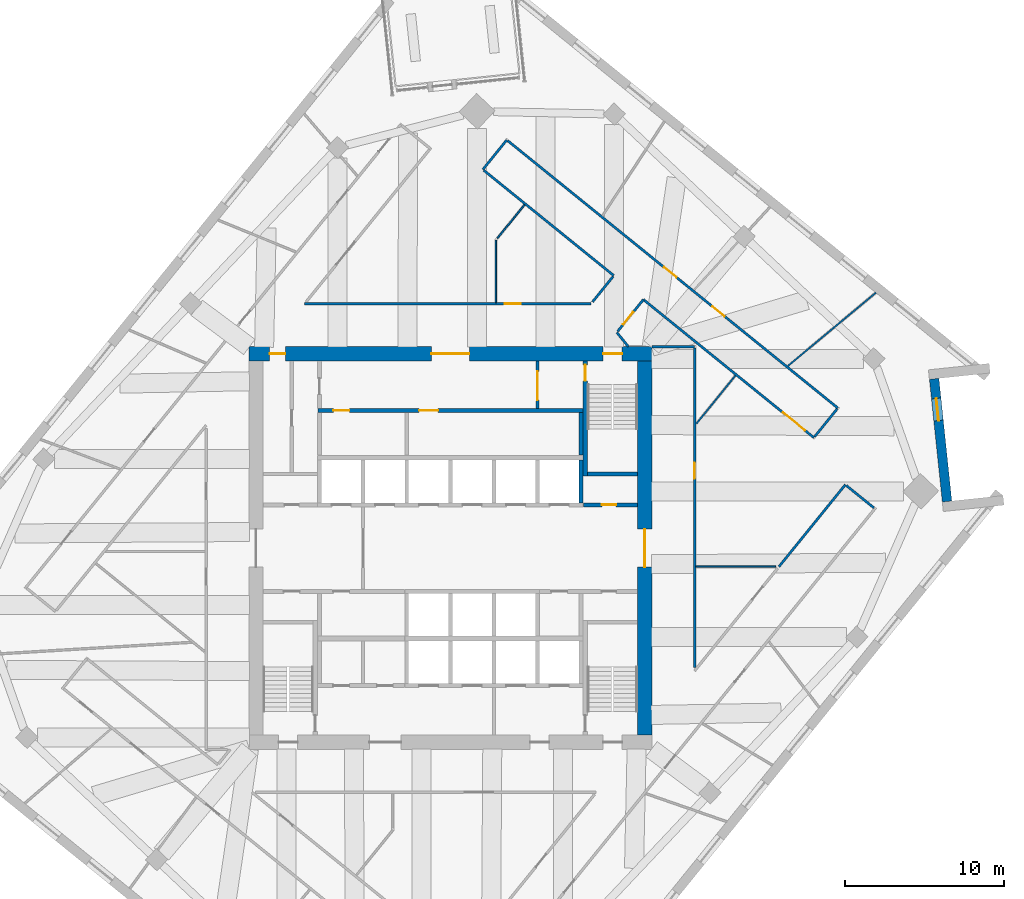
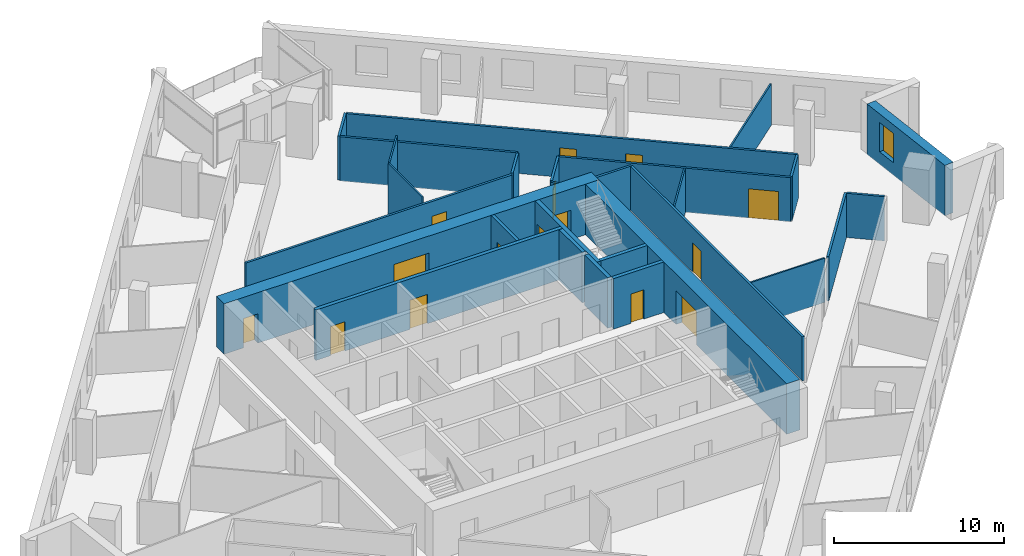
# One storey, part 11 of 14: 28 walls, 15 doors, 1 window, 16 openings.
"""IFC4 building model written with IfcOpenShell, lengths in metres."""

from ifc_helpers import new_model, si_unit, direction, frame, frame_2d, origin, place, context, subcontext, project, spatial, rectangle, extrude, material, layer, layer_set, type_object, element, fill, save


model = new_model("IFC4")

# Units and contexts
model_context = context("Model", 3, precision=1e-05, world=origin(), true_north=direction((0.0, 1.0)))
body_context = subcontext(model_context, "Body", "Model", "MODEL_VIEW")
ifc_project = project(units=[si_unit("LENGTHUNIT", "METRE"), si_unit("AREAUNIT", "SQUARE_METRE"), si_unit("VOLUMEUNIT", "CUBIC_METRE"), si_unit("PLANEANGLEUNIT", "RADIAN"), si_unit("MASSUNIT", "GRAM", prefix="KILO")], contexts=[model_context])

# Site, building, storey
site_placement = place(None, origin())
site = spatial("IfcSite", under=ifc_project, at=site_placement, CompositionType="ELEMENT")
building_placement = place(site_placement, origin())
building = spatial("IfcBuilding", under=site, at=building_placement, Name="Dilmun Exchange Tower", CompositionType="ELEMENT")
storey_placement = place(building_placement, frame((0.0, 0.0, 225.300048828125)))
storey = spatial("IfcBuildingStorey", under=building, at=storey_placement, Name="L53", CompositionType="ELEMENT", Elevation=225.300048828125)

# Wall, opening, door
ifc_material_1 = material(Name="Concrete C40/50", Category="concrete")
ifc_layer_1 = layer(ifc_material_1, 0.199951171875)
ifc_layer_set_1 = layer_set([ifc_layer_1], Name="Concrete C40/50")
wall_type_1 = type_object("IfcWallType", Name="Core partition wall 200", PredefinedType="PARTITIONING", material=ifc_layer_set_1)
wall_1_placement = place(storey_placement, frame((5.5, 8.804931640625, 0.0), z_axis=(0.0, 0.0, 1.0), x_axis=(0.0, 1.0, 0.0)))
wall_1 = element("IfcWall", 1, at=wall_1_placement, inside=storey, type_object=wall_type_1, Name="L53 core partition wall 20", PredefinedType="PARTITIONING", context=body_context, shape_type="SweptSolid", body=[
    extrude(rectangle(XDim=2.989990234375, YDim=0.199951171875, at=frame_2d((1.4951171875, 0.0))), origin(), (0.0, 0.0, 1.0), 3.619873046875),
])
opening_1_placement = place(wall_1_placement, frame((0.532470703125, 0.0, 0.0)))
opening_1 = element("IfcOpeningElement", 2, at=opening_1_placement, cuts=wall_1, Name="Opening CD5", PredefinedType="OPENING", context=body_context, shape_type="SweptSolid", body=[
    extrude(rectangle(XDim=1.800048828125, YDim=2.10009765625, at=frame_2d((0.89990234375, 1.050048828125))), frame((0.0, 0.10986328125, 0.0), z_axis=(0.0, -1.0, 0.0), x_axis=(1.0, 0.0, 0.0)), (0.0, 0.0, 1.0), 0.219970703125),
])
ifc_material_2 = material(Name="Fire-rated steel door set", Category="steel")
door_type_1 = type_object("IfcDoorType", Name="Stair exit door 1800x2100", OperationType="SINGLE_SWING_LEFT", PredefinedType="DOOR", material=ifc_material_2)
door_1_placement = place(opening_1_placement, origin())
door_1 = element("IfcDoor", 3, at=door_1_placement, inside=storey, type_object=door_type_1, Name="L53 door Core corridor east", OperationType="SINGLE_SWING_LEFT", OverallHeight=2.10009765625, OverallWidth=1.800048828125, PredefinedType="DOOR", context=body_context, shape_type="SweptSolid", body=[
    extrude(rectangle(XDim=1.800048828125, YDim=2.10009765625, at=frame_2d((0.89990234375, 1.050048828125))), frame((0.0, 0.02490234375, 0.0), z_axis=(0.0, -1.0, 0.0), x_axis=(1.0, 0.0, 0.0)), (0.0, 0.0, 1.0), 0.050048828125),
])
fill(opening_1, door_1)

ifc_layer_2 = layer(ifc_material_1, 0.25)
ifc_layer_set_2 = layer_set([ifc_layer_2], Name="Concrete C40/50")
wall_type_2 = type_object("IfcWallType", Name="Core partition wall 250", PredefinedType="PARTITIONING", material=ifc_layer_set_2)
wall_2_placement = place(storey_placement, frame((8.3798828125, 2.72509765625, 0.0), z_axis=(0.0, 0.0, 1.0), x_axis=(1.0, 0.0, 0.0)))
wall_2 = element("IfcWall", 4, at=wall_2_placement, inside=storey, type_object=wall_type_2, Name="L53 core partition wall 12", PredefinedType="PARTITIONING", context=body_context, shape_type="SweptSolid", body=[
    extrude(rectangle(XDim=3.4150390625, YDim=0.25, at=frame_2d((1.70751953125, 0.0))), origin(), (0.0, 0.0, 1.0), 3.619873046875),
])
opening_2_placement = place(wall_2_placement, frame((1.169921875, 0.0, 0.0)))
opening_2 = element("IfcOpeningElement", 5, at=opening_2_placement, cuts=wall_2, Name="Opening CD6", PredefinedType="OPENING", context=body_context, shape_type="SweptSolid", body=[
    extrude(rectangle(XDim=0.89990234375, YDim=2.10009765625, at=frame_2d((0.449951171875, 1.050048828125))), frame((0.0, 0.135009765625, 0.0), z_axis=(0.0, -1.0, 0.0), x_axis=(1.0, 0.0, 0.0)), (0.0, 0.0, 1.0), 0.27001953125),
])
door_type_2 = type_object("IfcDoorType", Name="Core room door 900x2100", OperationType="SINGLE_SWING_LEFT", PredefinedType="DOOR", material=ifc_material_2)
door_2_placement = place(opening_2_placement, origin())
door_2 = element("IfcDoor", 6, at=door_2_placement, inside=storey, type_object=door_type_2, Name="L53 door Electrical riser", OperationType="SINGLE_SWING_RIGHT", OverallHeight=2.10009765625, OverallWidth=0.89990234375, PredefinedType="DOOR", context=body_context, shape_type="SweptSolid", body=[
    extrude(rectangle(XDim=0.89990234375, YDim=2.10009765625, at=frame_2d((0.449951171875, 1.050048828125))), frame((0.0, 0.02490234375, 0.0), z_axis=(0.0, -1.0, 0.0), x_axis=(1.0, 0.0, 0.0)), (0.0, 0.0, 1.0), 0.050048828125),
])
fill(opening_2, door_2)

# Wall
wall_3_placement = place(storey_placement, frame((8.25, 5.85498046875, 0.0), z_axis=(0.0, 0.0, 1.0), x_axis=(0.0, 1.0, 0.0)))
element("IfcWall", 7, at=wall_3_placement, inside=storey, type_object=wall_type_2, Name="L53 core partition wall 17", PredefinedType="PARTITIONING", context=body_context, shape_type="SweptSolid", body=[
    extrude(rectangle(XDim=2.68994140625, YDim=0.25, at=frame_2d((1.344970703125, 0.0))), origin(), (0.0, 0.0, 1.0), 3.619873046875),
])

# Wall, openings, doors
wall_4_placement = place(storey_placement, frame((-8.35009765625, 8.675048828125, 0.0), z_axis=(0.0, 0.0, 1.0), x_axis=(1.0, 0.0, 0.0)))
wall_4 = element("IfcWall", 8, at=wall_4_placement, inside=storey, type_object=wall_type_2, Name="L53 core partition wall 18", PredefinedType="PARTITIONING", context=body_context, shape_type="SweptSolid", body=[
    extrude(rectangle(XDim=16.72021484375, YDim=0.25, at=frame_2d((8.360107421875, 0.0))), origin(), (0.0, 0.0, 1.0), 3.619873046875),
])
opening_3_placement = place(wall_4_placement, frame((0.97509765625, 0.0, 0.0)))
opening_3 = element("IfcOpeningElement", 9, at=opening_3_placement, cuts=wall_4, Name="Opening CD4", PredefinedType="OPENING", context=body_context, shape_type="SweptSolid", body=[
    extrude(rectangle(XDim=1.0, YDim=2.10009765625, at=frame_2d((0.5, 1.050048828125))), frame((0.0, 0.135009765625, 0.0), z_axis=(0.0, -1.0, 0.0), x_axis=(1.0, 0.0, 0.0)), (0.0, 0.0, 1.0), 0.27001953125),
])
opening_4_placement = place(wall_4_placement, frame((6.375, 0.0, 0.0)))
opening_4 = element("IfcOpeningElement", 10, at=opening_4_placement, cuts=wall_4, Name="Opening CD3", PredefinedType="OPENING", context=body_context, shape_type="SweptSolid", body=[
    extrude(rectangle(XDim=1.199951171875, YDim=2.10009765625, at=frame_2d((0.60009765625, 1.050048828125))), frame((0.0, 0.135009765625, 0.0), z_axis=(0.0, -1.0, 0.0), x_axis=(1.0, 0.0, 0.0)), (0.0, 0.0, 1.0), 0.27001953125),
])
door_type_3 = type_object("IfcDoorType", Name="Core room door 1000x2100", OperationType="SINGLE_SWING_LEFT", PredefinedType="DOOR", material=ifc_material_2)
door_3_placement = place(opening_3_placement, origin())
door_3 = element("IfcDoor", 11, at=door_3_placement, inside=storey, type_object=door_type_3, Name="L53 door Mechanical room", OperationType="SINGLE_SWING_RIGHT", OverallHeight=2.10009765625, OverallWidth=1.0, PredefinedType="DOOR", context=body_context, shape_type="SweptSolid", body=[
    extrude(rectangle(XDim=1.0, YDim=2.10009765625, at=frame_2d((0.5, 1.050048828125))), frame((0.0, 0.02490234375, 0.0), z_axis=(0.0, -1.0, 0.0), x_axis=(1.0, 0.0, 0.0)), (0.0, 0.0, 1.0), 0.050048828125),
])
fill(opening_3, door_3)
door_type_4 = type_object("IfcDoorType", Name="Stair exit door 1200x2100", OperationType="SINGLE_SWING_LEFT", PredefinedType="DOOR", material=ifc_material_2)
door_4_placement = place(opening_4_placement, origin())
door_4 = element("IfcDoor", 12, at=door_4_placement, inside=storey, type_object=door_type_4, Name="L53 door Tenant meeting suite", OperationType="SINGLE_SWING_LEFT", OverallHeight=2.10009765625, OverallWidth=1.199951171875, PredefinedType="DOOR", context=body_context, shape_type="SweptSolid", body=[
    extrude(rectangle(XDim=1.199951171875, YDim=2.10009765625, at=frame_2d((0.60009765625, 1.050048828125))), frame((0.0, 0.02490234375, 0.0), z_axis=(0.0, -1.0, 0.0), x_axis=(1.0, 0.0, 0.0)), (0.0, 0.0, 1.0), 0.050048828125),
])
fill(opening_4, door_4)

ifc_material_3 = material(Name="Concrete C60/75", Category="concrete")
ifc_layer_3 = layer(ifc_material_3, 0.89990234375)
ifc_layer_set_3 = layer_set([ifc_layer_3], Name="Concrete C60/75")
wall_type_3 = type_object("IfcWallType", Name="Core shear wall 900 Concrete C60/75", PredefinedType="SHEAR", material=ifc_layer_set_3)
wall_5_placement = place(storey_placement, frame((-12.699951171875, 12.25, 0.0), z_axis=(0.0, 0.0, 1.0), x_axis=(1.0, 0.0, 0.0)))
wall_5 = element("IfcWall", 13, at=wall_5_placement, inside=storey, type_object=wall_type_3, Name="L53 core shear wall N", PredefinedType="SHEAR", context=body_context, shape_type="SweptSolid", body=[
    extrude(rectangle(XDim=25.39990234375, YDim=0.89990234375, at=frame_2d((12.699951171875, 0.0))), origin(), (0.0, 0.0, 1.0), 3.619873046875),
])
opening_5_placement = place(wall_5_placement, frame((11.5, 0.0, 0.0)))
opening_5 = element("IfcOpeningElement", 14, at=opening_5_placement, cuts=wall_5, Name="Opening CD1", PredefinedType="OPENING", context=body_context, shape_type="SweptSolid", body=[
    extrude(rectangle(XDim=2.39990234375, YDim=2.39990234375, at=frame_2d((1.199951171875, 1.199951171875))), frame((0.0, 0.4599609375, 0.0), z_axis=(0.0, -1.0, 0.0), x_axis=(1.0, 0.0, 0.0)), (0.0, 0.0, 1.0), 0.919921875),
])
opening_6_placement = place(wall_5_placement, frame((22.324951171875, 0.0, 0.0)))
opening_6 = element("IfcOpeningElement", 15, at=opening_6_placement, cuts=wall_5, Name="Opening CD3", PredefinedType="OPENING", context=body_context, shape_type="SweptSolid", body=[
    extrude(rectangle(XDim=1.199951171875, YDim=2.10009765625, at=frame_2d((0.60009765625, 1.050048828125))), frame((0.0, 0.4599609375, 0.0), z_axis=(0.0, -1.0, 0.0), x_axis=(1.0, 0.0, 0.0)), (0.0, 0.0, 1.0), 0.919921875),
])
opening_7_placement = place(wall_5_placement, frame((1.300048828125, 0.0, 0.0)))
opening_7 = element("IfcOpeningElement", 16, at=opening_7_placement, cuts=wall_5, Name="Opening CD4", PredefinedType="OPENING", context=body_context, shape_type="SweptSolid", body=[
    extrude(rectangle(XDim=1.0, YDim=2.10009765625, at=frame_2d((0.5, 1.050048828125))), frame((0.0, 0.4599609375, 0.0), z_axis=(0.0, -1.0, 0.0), x_axis=(1.0, 0.0, 0.0)), (0.0, 0.0, 1.0), 0.919921875),
])
door_type_5 = type_object("IfcDoorType", Name="Core lobby door 2400x2400", OperationType="DOUBLE_DOOR_DOUBLE_SWING", PredefinedType="DOOR", material=ifc_material_2)
door_5_placement = place(opening_5_placement, origin())
door_5 = element("IfcDoor", 17, at=door_5_placement, inside=storey, type_object=door_type_5, Name="L53 door North lift lobby", OperationType="SINGLE_SWING_LEFT", OverallHeight=2.39990234375, OverallWidth=2.39990234375, PredefinedType="DOOR", context=body_context, shape_type="SweptSolid", body=[
    extrude(rectangle(XDim=2.39990234375, YDim=2.39990234375, at=frame_2d((1.199951171875, 1.199951171875))), frame((0.0, 0.02490234375, 0.0), z_axis=(0.0, -1.0, 0.0), x_axis=(1.0, 0.0, 0.0)), (0.0, 0.0, 1.0), 0.050048828125),
])
fill(opening_5, door_5)
door_6_placement = place(opening_7_placement, origin())
door_6 = element("IfcDoor", 18, at=door_6_placement, inside=storey, type_object=door_type_3, Name="L53 door North-west core rooms", OperationType="SINGLE_SWING_LEFT", OverallHeight=2.10009765625, OverallWidth=1.0, PredefinedType="DOOR", context=body_context, shape_type="SweptSolid", body=[
    extrude(rectangle(XDim=1.0, YDim=2.10009765625, at=frame_2d((0.5, 1.050048828125))), frame((0.0, 0.02490234375, 0.0), z_axis=(0.0, -1.0, 0.0), x_axis=(1.0, 0.0, 0.0)), (0.0, 0.0, 1.0), 0.050048828125),
])
fill(opening_7, door_6)
door_7_placement = place(opening_6_placement, origin())
door_7 = element("IfcDoor", 19, at=door_7_placement, inside=storey, type_object=door_type_4, Name="L53 door Stair ST1", OperationType="SINGLE_SWING_LEFT", OverallHeight=2.10009765625, OverallWidth=1.199951171875, PredefinedType="DOOR", context=body_context, shape_type="SweptSolid", body=[
    extrude(rectangle(XDim=1.199951171875, YDim=2.10009765625, at=frame_2d((0.60009765625, 1.050048828125))), frame((0.0, 0.02490234375, 0.0), z_axis=(0.0, -1.0, 0.0), x_axis=(1.0, 0.0, 0.0)), (0.0, 0.0, 1.0), 0.050048828125),
])
fill(opening_6, door_7)

# Wall, opening, door
wall_6_placement = place(storey_placement, frame((12.25, -11.800048828125, 0.0), z_axis=(0.0, 0.0, 1.0), x_axis=(0.0, 1.0, 0.0)))
wall_6 = element("IfcWall", 20, at=wall_6_placement, inside=storey, type_object=wall_type_3, Name="L53 core shear wall E", PredefinedType="SHEAR", context=body_context, shape_type="SweptSolid", body=[
    extrude(rectangle(XDim=23.60009765625, YDim=0.89990234375, at=frame_2d((11.800048828125, 0.0))), origin(), (0.0, 0.0, 1.0), 3.619873046875),
])
opening_8_placement = place(wall_6_placement, frame((10.60009765625, 0.0, 0.0)))
opening_8 = element("IfcOpeningElement", 21, at=opening_8_placement, cuts=wall_6, Name="Opening CD1", PredefinedType="OPENING", context=body_context, shape_type="SweptSolid", body=[
    extrude(rectangle(XDim=2.39990234375, YDim=2.39990234375, at=frame_2d((1.199951171875, 1.199951171875))), frame((0.0, 0.4599609375, 0.0), z_axis=(0.0, -1.0, 0.0), x_axis=(1.0, 0.0, 0.0)), (0.0, 0.0, 1.0), 0.919921875),
])
door_8_placement = place(opening_8_placement, origin())
door_8 = element("IfcDoor", 22, at=door_8_placement, inside=storey, type_object=door_type_5, Name="L53 door Central lift lobby", OperationType="SINGLE_SWING_LEFT", OverallHeight=2.39990234375, OverallWidth=2.39990234375, PredefinedType="DOOR", context=body_context, shape_type="SweptSolid", body=[
    extrude(rectangle(XDim=2.39990234375, YDim=2.39990234375, at=frame_2d((1.199951171875, 1.199951171875))), frame((0.0, 0.02490234375, 0.0), z_axis=(0.0, -1.0, 0.0), x_axis=(1.0, 0.0, 0.0)), (0.0, 0.0, 1.0), 0.050048828125),
])
fill(opening_8, door_8)

ifc_material_4 = material(Name="Corridor wall 150")
ifc_layer_4 = layer(ifc_material_4, 0.14990234375)
ifc_layer_set_4 = layer_set([ifc_layer_4], Name="Corridor wall 150")
wall_type_4 = type_object("IfcWallType", Name="Corridor wall 150", PredefinedType="PARTITIONING", material=ifc_layer_set_4)
wall_7_placement = place(storey_placement, frame((-9.196044921875, 15.39990234375, 0.0), z_axis=(0.0, 0.0, 1.0), x_axis=(1.0, 0.0, 0.0)))
wall_7 = element("IfcWall", 23, at=wall_7_placement, inside=storey, type_object=wall_type_4, Name="Corridor wall", PredefinedType="PARTITIONING", context=body_context, shape_type="SweptSolid", body=[
    extrude(rectangle(XDim=18.06005859375, YDim=0.14990234375, at=frame_2d((9.030029296875, 0.0))), origin(), (0.0, 0.0, 1.0), 3.169921875),
])
opening_9_placement = place(wall_7_placement, frame((12.620849609375, 0.0, 0.0)))
opening_9 = element("IfcOpeningElement", 24, at=opening_9_placement, cuts=wall_7, Name="Opening TF53-D15", PredefinedType="OPENING", context=body_context, shape_type="SweptSolid", body=[
    extrude(rectangle(XDim=1.0, YDim=2.10009765625, at=frame_2d((0.5, 1.050048828125))), frame((0.0, 0.0849609375, 0.0), z_axis=(0.0, -1.0, 0.0), x_axis=(1.0, 0.0, 0.0)), (0.0, 0.0, 1.0), 0.169921875),
])
ifc_material_5 = material(Name="Fire door 1000 x 2100")
door_type_6 = type_object("IfcDoorType", Name="Fire door 1000 x 2100", OperationType="NOTDEFINED", PredefinedType="DOOR", material=ifc_material_5)
door_9_placement = place(opening_9_placement, origin())
door_9 = element("IfcDoor", 25, at=door_9_placement, inside=storey, type_object=door_type_6, Name="Door TF53-D15", OperationType="SINGLE_SWING_LEFT", OverallHeight=2.10009765625, OverallWidth=1.0, PredefinedType="DOOR", context=body_context, shape_type="SweptSolid", body=[
    extrude(rectangle(XDim=1.0, YDim=2.10009765625, at=frame_2d((0.5, 1.050048828125))), frame((0.0, 0.02490234375, 0.0), z_axis=(0.0, -1.0, 0.0), x_axis=(1.0, 0.0, 0.0)), (0.0, 0.0, 1.0), 0.050048828125),
])
fill(opening_9, door_9)

# Walls
wall_8_placement = place(storey_placement, frame((2.047119140625, 23.868896484375, 0.0), z_axis=(0.0, 0.0, 1.0), x_axis=(0.62925964887, 0.777195145574, 0.0)))
element("IfcWall", 26, at=wall_8_placement, inside=storey, type_object=wall_type_4, Name="Corridor wall", PredefinedType="PARTITIONING", context=body_context, shape_type="SweptSolid", body=[
    extrude(rectangle(XDim=2.401123046875, YDim=0.14990234375, at=frame_2d((1.20068359375, 0.0))), origin(), (0.0, 0.0, 1.0), 3.169921875),
])
wall_9_placement = place(storey_placement, frame((2.105224609375, 23.82177734375, 0.0), z_axis=(0.0, 0.0, 1.0), x_axis=(0.777178600468, -0.62928008309, 0.0)))
element("IfcWall", 27, at=wall_9_placement, inside=storey, type_object=wall_type_4, Name="Corridor wall", PredefinedType="PARTITIONING", context=body_context, shape_type="SweptSolid", body=[
    extrude(rectangle(XDim=10.55322265625, YDim=0.14990234375, at=frame_2d((5.276611328125, 0.0))), origin(), (0.0, 0.0, 1.0), 3.169921875),
])

# Wall, openings, doors
wall_10_placement = place(storey_placement, frame((3.6162109375, 25.687744140625, 0.0), z_axis=(0.0, 0.0, 1.0), x_axis=(0.777137029952, -0.62933142038, 0.0)))
wall_10 = element("IfcWall", 28, at=wall_10_placement, inside=storey, type_object=wall_type_4, Name="Corridor wall", PredefinedType="PARTITIONING", context=body_context, shape_type="SweptSolid", body=[
    extrude(rectangle(XDim=26.78515625, YDim=0.14990234375, at=frame_2d((13.392578125, 0.0))), origin(), (0.0, 0.0, 1.0), 3.169921875),
])
opening_10_placement = place(wall_10_placement, frame((12.68212890625, 0.0, 0.0)))
opening_10 = element("IfcOpeningElement", 29, at=opening_10_placement, cuts=wall_10, Name="Opening TF53-D18", PredefinedType="OPENING", context=body_context, shape_type="SweptSolid", body=[
    extrude(rectangle(XDim=1.0, YDim=2.10009765625, at=frame_2d((0.5, 1.050048828125))), frame((0.0, 0.0849609375, 0.0), z_axis=(0.0, -1.0, 0.0), x_axis=(1.0, 0.0, 0.0)), (0.0, 0.0, 1.0), 0.169921875),
])
opening_11_placement = place(wall_10_placement, frame((16.596923828125, 0.0, 0.0)))
opening_11 = element("IfcOpeningElement", 30, at=opening_11_placement, cuts=wall_10, Name="Opening TF53-D22", PredefinedType="OPENING", context=body_context, shape_type="SweptSolid", body=[
    extrude(rectangle(XDim=1.0, YDim=2.10009765625, at=frame_2d((0.5, 1.050048828125))), frame((0.0, 0.0849609375, 0.0), z_axis=(0.0, -1.0, 0.0), x_axis=(1.0, 0.0, 0.0)), (0.0, 0.0, 1.0), 0.169921875),
])
door_10_placement = place(opening_10_placement, origin())
door_10 = element("IfcDoor", 31, at=door_10_placement, inside=storey, type_object=door_type_6, Name="Door TF53-D18", OperationType="SINGLE_SWING_LEFT", OverallHeight=2.10009765625, OverallWidth=1.0, PredefinedType="DOOR", context=body_context, shape_type="SweptSolid", body=[
    extrude(rectangle(XDim=1.0, YDim=2.10009765625, at=frame_2d((0.5, 1.050048828125))), frame((0.0, 0.02490234375, 0.0), z_axis=(0.0, -1.0, 0.0), x_axis=(1.0, 0.0, 0.0)), (0.0, 0.0, 1.0), 0.050048828125),
])
fill(opening_10, door_10)
door_11_placement = place(opening_11_placement, origin())
door_11 = element("IfcDoor", 32, at=door_11_placement, inside=storey, type_object=door_type_6, Name="Door TF53-D22", OperationType="SINGLE_SWING_RIGHT", OverallHeight=2.10009765625, OverallWidth=1.0, PredefinedType="DOOR", context=body_context, shape_type="SweptSolid", body=[
    extrude(rectangle(XDim=1.0, YDim=2.10009765625, at=frame_2d((0.5, 1.050048828125))), frame((0.0, 0.02490234375, 0.0), z_axis=(0.0, -1.0, 0.0), x_axis=(1.0, 0.0, 0.0)), (0.0, 0.0, 1.0), 0.050048828125),
])
fill(opening_11, door_11)

# Walls
wall_11_placement = place(storey_placement, frame((8.962890625, 15.522216796875, 0.0), z_axis=(0.0, 0.0, 1.0), x_axis=(0.629539094885, 0.776968807618, 0.0)))
element("IfcWall", 33, at=wall_11_placement, inside=storey, type_object=wall_type_4, Name="Corridor wall", PredefinedType="PARTITIONING", context=body_context, shape_type="SweptSolid", body=[
    extrude(rectangle(XDim=2.06005859375, YDim=0.14990234375, at=frame_2d((1.030029296875, 0.0))), origin(), (0.0, 0.0, 1.0), 3.169921875),
])
wall_12_placement = place(storey_placement, frame((10.4951171875, 13.60009765625, 0.0), z_axis=(0.0, 0.0, 1.0), x_axis=(0.629870659229, -0.776700040326, 0.0)))
element("IfcWall", 34, at=wall_12_placement, inside=storey, type_object=wall_type_4, Name="Corridor wall", PredefinedType="PARTITIONING", context=body_context, shape_type="SweptSolid", body=[
    extrude(rectangle(XDim=1.158935546875, YDim=0.14990234375, at=frame_2d((0.57958984375, 0.0))), origin(), (0.0, 0.0, 1.0), 3.169921875),
])

# Wall, opening, door
wall_13_placement = place(storey_placement, frame((10.55322265625, 13.671875, 0.0), z_axis=(0.0, 0.0, 1.0), x_axis=(0.629534094475, 0.776972859174, 0.0)))
wall_13 = element("IfcWall", 35, at=wall_13_placement, inside=storey, type_object=wall_type_4, Name="Corridor wall", PredefinedType="PARTITIONING", context=body_context, shape_type="SweptSolid", body=[
    extrude(rectangle(XDim=2.571533203125, YDim=0.14990234375, at=frame_2d((1.28564453125, 0.0))), origin(), (0.0, 0.0, 1.0), 3.169921875),
])
opening_12_placement = place(wall_13_placement, frame((0.550048828125, 0.0, 0.0)))
opening_12 = element("IfcOpeningElement", 36, at=opening_12_placement, cuts=wall_13, Name="Opening TF53-D17", PredefinedType="OPENING", context=body_context, shape_type="SweptSolid", body=[
    extrude(rectangle(XDim=1.0, YDim=2.10009765625, at=frame_2d((0.5, 1.050048828125))), frame((0.0, 0.0849609375, 0.0), z_axis=(0.0, -1.0, 0.0), x_axis=(1.0, 0.0, 0.0)), (0.0, 0.0, 1.0), 0.169921875),
])
door_12_placement = place(opening_12_placement, frame((1.0, 0.0, 0.0), z_axis=(0.0, 0.0, 1.0), x_axis=(-1.0, 0.0, 0.0)))
door_12 = element("IfcDoor", 37, at=door_12_placement, inside=storey, type_object=door_type_6, Name="Door TF53-D17", OperationType="SINGLE_SWING_LEFT", OverallHeight=2.10009765625, OverallWidth=1.0, PredefinedType="DOOR", context=body_context, shape_type="SweptSolid", body=[
    extrude(rectangle(XDim=1.0, YDim=2.10009765625, at=frame_2d((0.5, 1.050048828125))), frame((0.0, 0.02490234375, 0.0), z_axis=(0.0, -1.0, 0.0), x_axis=(1.0, 0.0, 0.0)), (0.0, 0.0, 1.0), 0.050048828125),
])
fill(opening_12, door_12)

wall_14_placement = place(storey_placement, frame((12.172119140625, 15.6708984375, 0.0), z_axis=(0.0, 0.0, 1.0), x_axis=(0.777123609621, -0.629347992266, 0.0)))
wall_14 = element("IfcWall", 38, at=wall_14_placement, inside=storey, type_object=wall_type_4, Name="Corridor wall", PredefinedType="PARTITIONING", context=body_context, shape_type="SweptSolid", body=[
    extrude(rectangle(XDim=13.8330078125, YDim=0.14990234375, at=frame_2d((6.91650390625, 0.0))), origin(), (0.0, 0.0, 1.0), 3.169921875),
])
opening_13_placement = place(wall_14_placement, frame((11.32373046875, 0.0, 0.0)))
opening_13 = element("IfcOpeningElement", 39, at=opening_13_placement, cuts=wall_14, Name="Opening TF53-D23", PredefinedType="OPENING", context=body_context, shape_type="SweptSolid", body=[
    extrude(rectangle(XDim=1.800048828125, YDim=2.10009765625, at=frame_2d((0.89990234375, 1.050048828125))), frame((0.0, 0.0849609375, 0.0), z_axis=(0.0, -1.0, 0.0), x_axis=(1.0, 0.0, 0.0)), (0.0, 0.0, 1.0), 0.169921875),
])
ifc_material_6 = material(Name="Fire door pair 1800 x 2100")
door_type_7 = type_object("IfcDoorType", Name="Fire door pair 1800 x 2100", OperationType="NOTDEFINED", PredefinedType="DOOR", material=ifc_material_6)
door_13_placement = place(opening_13_placement, frame((1.800048828125, 0.0, 0.0), z_axis=(0.0, 0.0, 1.0), x_axis=(-1.0, 0.0, 0.0)))
door_13 = element("IfcDoor", 40, at=door_13_placement, inside=storey, type_object=door_type_7, Name="Door TF53-D23", OperationType="DOUBLE_DOOR_SINGLE_SWING", OverallHeight=2.10009765625, OverallWidth=1.800048828125, PredefinedType="DOOR", context=body_context, shape_type="SweptSolid", body=[
    extrude(rectangle(XDim=1.800048828125, YDim=2.10009765625, at=frame_2d((0.89990234375, 1.050048828125))), frame((0.0, 0.02490234375, 0.0), z_axis=(0.0, -1.0, 0.0), x_axis=(1.0, 0.0, 0.0)), (0.0, 0.0, 1.0), 0.050048828125),
])
fill(opening_13, door_13)

# Wall
wall_15_placement = place(storey_placement, frame((12.699951171875, 12.699951171875, 0.0), z_axis=(0.0, 0.0, 1.0), x_axis=(1.0, 0.0, 0.0)))
element("IfcWall", 41, at=wall_15_placement, inside=storey, type_object=wall_type_4, Name="Corridor wall", PredefinedType="PARTITIONING", context=body_context, shape_type="SweptSolid", body=[
    extrude(rectangle(XDim=2.699951171875, YDim=0.14990234375, at=frame_2d((1.35009765625, 0.0))), origin(), (0.0, 0.0, 1.0), 3.169921875),
])

# Wall, opening, door
wall_16_placement = place(storey_placement, frame((15.39990234375, -7.527099609375, 0.0), z_axis=(0.0, 0.0, 1.0), x_axis=(0.0, 1.0, 0.0)))
wall_16 = element("IfcWall", 42, at=wall_16_placement, inside=storey, type_object=wall_type_4, Name="Corridor wall", PredefinedType="PARTITIONING", context=body_context, shape_type="SweptSolid", body=[
    extrude(rectangle(XDim=20.152099609375, YDim=0.14990234375, at=frame_2d((10.076171875, 0.0))), origin(), (0.0, 0.0, 1.0), 3.169921875),
])
opening_14_placement = place(wall_16_placement, frame((11.908447265625, 0.0, 0.0)))
opening_14 = element("IfcOpeningElement", 43, at=opening_14_placement, cuts=wall_16, Name="Opening TF53-D24", PredefinedType="OPENING", context=body_context, shape_type="SweptSolid", body=[
    extrude(rectangle(XDim=1.0, YDim=2.10009765625, at=frame_2d((0.5, 1.050048828125))), frame((0.0, 0.0849609375, 0.0), z_axis=(0.0, -1.0, 0.0), x_axis=(1.0, 0.0, 0.0)), (0.0, 0.0, 1.0), 0.169921875),
])
door_14_placement = place(opening_14_placement, frame((1.0, 0.0, 0.0), z_axis=(0.0, 0.0, 1.0), x_axis=(-1.0, 0.0, 0.0)))
door_14 = element("IfcDoor", 44, at=door_14_placement, inside=storey, type_object=door_type_6, Name="Door TF53-D24", OperationType="SINGLE_SWING_RIGHT", OverallHeight=2.10009765625, OverallWidth=1.0, PredefinedType="DOOR", context=body_context, shape_type="SweptSolid", body=[
    extrude(rectangle(XDim=1.0, YDim=2.10009765625, at=frame_2d((0.5, 1.050048828125))), frame((0.0, 0.02490234375, 0.0), z_axis=(0.0, -1.0, 0.0), x_axis=(1.0, 0.0, 0.0)), (0.0, 0.0, 1.0), 0.050048828125),
])
fill(opening_14, door_14)

# Walls
wall_17_placement = place(storey_placement, frame((20.720947265625, -1.1689453125, 0.0), z_axis=(0.0, 0.0, 1.0), x_axis=(0.629297540066, 0.777164465262, 0.0)))
element("IfcWall", 45, at=wall_17_placement, inside=storey, type_object=wall_type_4, Name="Corridor wall", PredefinedType="PARTITIONING", context=body_context, shape_type="SweptSolid", body=[
    extrude(rectangle(XDim=6.647216796875, YDim=0.14990234375, at=frame_2d((3.32373046875, 0.0))), origin(), (0.0, 0.0, 1.0), 3.169921875),
])
wall_18_placement = place(storey_placement, frame((22.96923828125, 7.023193359375, 0.0), z_axis=(0.0, 0.0, 1.0), x_axis=(0.628998475829, 0.777406532906, 0.0)))
element("IfcWall", 46, at=wall_18_placement, inside=storey, type_object=wall_type_4, Name="Corridor wall", PredefinedType="PARTITIONING", context=body_context, shape_type="SweptSolid", body=[
    extrude(rectangle(XDim=2.25048828125, YDim=0.14990234375, at=frame_2d((1.125244140625, 0.0))), origin(), (0.0, 0.0, 1.0), 3.169921875),
])
wall_19_placement = place(storey_placement, frame((24.96240234375, 3.94970703125, 0.0), z_axis=(0.0, 0.0, 1.0), x_axis=(0.777191791734, -0.629263791157, 0.0)))
element("IfcWall", 47, at=wall_19_placement, inside=storey, type_object=wall_type_4, Name="Corridor wall", PredefinedType="PARTITIONING", context=body_context, shape_type="SweptSolid", body=[
    extrude(rectangle(XDim=2.24951171875, YDim=0.14990234375, at=frame_2d((1.124755859375, 0.0))), origin(), (0.0, 0.0, 1.0), 3.169921875),
])
ifc_layer_5 = layer(ifc_material_1, 0.25)
ifc_layer_set_5 = layer_set([ifc_layer_5], Name="Concrete C40/50")
wall_type_5 = type_object("IfcWallType", Name="Lift shaft wall 250", PredefinedType="SOLIDWALL", material=ifc_layer_set_5)
wall_20_placement = place(storey_placement, frame((8.25, 2.85009765625, 0.0), z_axis=(0.0, 0.0, 1.0), x_axis=(0.0, 1.0, 0.0)))
element("IfcWall", 48, at=wall_20_placement, inside=storey, type_object=wall_type_5, Name="L53 lift shaft divider N16", PredefinedType="SOLIDWALL", context=body_context, shape_type="SweptSolid", body=[
    extrude(rectangle(XDim=2.699951171875, YDim=0.25, at=frame_2d((1.35009765625, 0.0))), origin(), (0.0, 0.0, 1.0), 3.619873046875),
])
ifc_material_7 = material(Name="Partition 100")
ifc_layer_6 = layer(ifc_material_7, 0.10009765625)
ifc_layer_set_6 = layer_set([ifc_layer_6], Name="Partition 100")
wall_type_6 = type_object("IfcWallType", Name="Partition 100", PredefinedType="PARTITIONING", material=ifc_layer_set_6)
wall_21_placement = place(storey_placement, frame((2.875, 15.47509765625, 0.0), z_axis=(0.0, 0.0, 1.0), x_axis=(0.0, 1.0, 0.0)))
element("IfcWall", 49, at=wall_21_placement, inside=storey, type_object=wall_type_6, Name="Partition", PredefinedType="PARTITIONING", context=body_context, shape_type="SweptSolid", body=[
    extrude(rectangle(XDim=3.948974609375, YDim=0.10009765625, at=frame_2d((1.974609375, 0.0))), origin(), (0.0, 0.0, 1.0), 3.619873046875),
])
wall_22_placement = place(storey_placement, frame((2.9638671875, 19.53369140625, 0.0), z_axis=(0.0, 0.0, 1.0), x_axis=(0.629242163311, 0.777209302513, 0.0)))
element("IfcWall", 50, at=wall_22_placement, inside=storey, type_object=wall_type_6, Name="Partition", PredefinedType="PARTITIONING", context=body_context, shape_type="SweptSolid", body=[
    extrude(rectangle(XDim=2.717529296875, YDim=0.10009765625, at=frame_2d((1.35888671875, 0.0))), origin(), (0.0, 0.0, 1.0), 3.619873046875),
])
wall_23_placement = place(storey_placement, frame((15.47509765625, -1.1689453125, 0.0), z_axis=(0.0, 0.0, 1.0), x_axis=(1.0, 0.0, 0.0)))
element("IfcWall", 51, at=wall_23_placement, inside=storey, type_object=wall_type_6, Name="Partition", PredefinedType="PARTITIONING", context=body_context, shape_type="SweptSolid", body=[
    extrude(rectangle(XDim=5.02685546875, YDim=0.10009765625, at=frame_2d((2.513427734375, 0.0))), origin(), (0.0, 0.0, 1.0), 3.169921875),
])
wall_24_placement = place(storey_placement, frame((15.513916015625, 7.842529296875, 0.0), z_axis=(0.0, 0.0, 1.0), x_axis=(0.629311514858, 0.777153149172, 0.0)))
element("IfcWall", 52, at=wall_24_placement, inside=storey, type_object=wall_type_6, Name="Partition", PredefinedType="PARTITIONING", context=body_context, shape_type="SweptSolid", body=[
    extrude(rectangle(XDim=3.905517578125, YDim=0.10009765625, at=frame_2d((1.95263671875, 0.0))), origin(), (0.0, 0.0, 1.0), 3.169921875),
])
wall_25_placement = place(storey_placement, frame((21.286376953125, 11.4873046875, 0.0), z_axis=(0.0, 0.0, 1.0), x_axis=(0.768459840101, 0.639898018556, 0.0)))
element("IfcWall", 53, at=wall_25_placement, inside=storey, type_object=wall_type_6, Name="Partition", PredefinedType="PARTITIONING", context=body_context, shape_type="SweptSolid", body=[
    extrude(rectangle(XDim=7.21240234375, YDim=0.10009765625, at=frame_2d((3.606201171875, 0.0))), origin(), (0.0, 0.0, 1.0), 2.969970703125),
])

# Wall, opening, window
ifc_material_8 = material(Name="Precast concrete C50/60", Category="concrete")
ifc_layer_7 = layer(ifc_material_8, 0.60009765625)
ifc_layer_set_7 = layer_set([ifc_layer_7], Name="Precast concrete C50/60")
wall_type_7 = type_object("IfcWallType", Name="Precast stone-clad wall 600", PredefinedType="STANDARD", material=ifc_layer_set_7)
wall_26_placement = place(storey_placement, frame((31.320068359375, 2.936279296875, 0.0), z_axis=(0.0, 0.0, 1.0), x_axis=(-0.104552439276, 0.994519375096, 0.0)))
wall_26 = element("IfcWall", 54, at=wall_26_placement, inside=storey, type_object=wall_type_7, Name="Facade wall L53-13", PredefinedType="STANDARD", context=body_context, shape_type="SweptSolid", body=[
    extrude(rectangle(XDim=7.7783203125, YDim=0.60009765625, at=frame_2d((3.88916015625, 0.0))), origin(), (0.0, 0.0, 1.0), 3.619873046875),
])
opening_15_placement = place(wall_26_placement, frame((5.133544921875, 0.0, 0.89990234375)))
opening_15 = element("IfcOpeningElement", 55, at=opening_15_placement, cuts=wall_26, Name="Opening W140-210", PredefinedType="OPENING", context=body_context, shape_type="SweptSolid", body=[
    extrude(rectangle(XDim=1.39990234375, YDim=2.10009765625, at=frame_2d((0.699951171875, 1.050048828125))), frame((0.0, 0.31005859375, 0.0), z_axis=(0.0, -1.0, 0.0), x_axis=(1.0, 0.0, 0.0)), (0.0, 0.0, 1.0), 0.6201171875),
])
ifc_material_9 = material(Name="Clear low-emissivity glass in aluminium frame", Category="aluminium")
window_type = type_object("IfcWindowType", Name="Punched window 1400 x 2100", PartitioningType="DOUBLE_PANEL_VERTICAL", PredefinedType="WINDOW", material=ifc_material_9)
window_placement = place(opening_15_placement, origin())
window = element("IfcWindow", 56, at=window_placement, inside=storey, type_object=window_type, Name="Window 14.2", OverallHeight=2.10009765625, OverallWidth=1.39990234375, PartitioningType="SINGLE_PANEL", PredefinedType="WINDOW", context=body_context, shape_type="SweptSolid", body=[
    extrude(rectangle(XDim=1.39990234375, YDim=2.10009765625, at=frame_2d((0.699951171875, 1.050048828125))), frame((0.0, 0.030029296875, 0.0), z_axis=(0.0, -1.0, 0.0), x_axis=(1.0, 0.0, 0.0)), (0.0, 0.0, 1.0), 0.06005859375),
])
fill(opening_15, window)

# Wall
ifc_layer_8 = layer(ifc_material_1, 0.25)
ifc_layer_set_8 = layer_set([ifc_layer_8], Name="Concrete C40/50")
wall_type_8 = type_object("IfcWallType", Name="Stair end wall 250", PredefinedType="SOLIDWALL", material=ifc_layer_set_8)
wall_27_placement = place(storey_placement, frame((8.64990234375, 4.675048828125, 0.0), z_axis=(0.0, 0.0, 1.0), x_axis=(1.0, 0.0, 0.0)))
element("IfcWall", 57, at=wall_27_placement, inside=storey, type_object=wall_type_8, Name="L53 ST1 far wall", PredefinedType="SOLIDWALL", context=body_context, shape_type="SweptSolid", body=[
    extrude(rectangle(XDim=3.150146484375, YDim=0.25, at=frame_2d((1.5751953125, 0.0))), origin(), (0.0, 0.0, 1.0), 3.619873046875),
])

# Wall, opening, door
ifc_layer_9 = layer(ifc_material_1, 0.27490234375)
ifc_layer_set_9 = layer_set([ifc_layer_9], Name="Concrete C40/50")
wall_type_9 = type_object("IfcWallType", Name="Stair wall 275", PredefinedType="SOLIDWALL", material=ifc_layer_set_9)
wall_28_placement = place(storey_placement, frame((8.512451171875, 4.550048828125, 0.0), z_axis=(0.0, 0.0, 1.0), x_axis=(0.0, 1.0, 0.0)))
wall_28 = element("IfcWall", 58, at=wall_28_placement, inside=storey, type_object=wall_type_9, Name="L53 ST1 wall to lift block", PredefinedType="SOLIDWALL", context=body_context, shape_type="SweptSolid", body=[
    extrude(rectangle(XDim=7.25, YDim=0.27490234375, at=frame_2d((3.625, 0.0))), origin(), (0.0, 0.0, 1.0), 3.619873046875),
])
opening_16_placement = place(wall_28_placement, frame((6.0, 0.0, 0.0)))
opening_16 = element("IfcOpeningElement", 59, at=opening_16_placement, cuts=wall_28, Name="Opening CD4", PredefinedType="OPENING", context=body_context, shape_type="SweptSolid", body=[
    extrude(rectangle(XDim=1.0, YDim=2.10009765625, at=frame_2d((0.5, 1.050048828125))), frame((0.0, 0.1474609375, 0.0), z_axis=(0.0, -1.0, 0.0), x_axis=(1.0, 0.0, 0.0)), (0.0, 0.0, 1.0), 0.294921875),
])
door_15_placement = place(opening_16_placement, origin())
door_15 = element("IfcDoor", 60, at=door_15_placement, inside=storey, type_object=door_type_3, Name="L53 door ST1 from lobby", OperationType="SINGLE_SWING_LEFT", OverallHeight=2.10009765625, OverallWidth=1.0, PredefinedType="DOOR", context=body_context, shape_type="SweptSolid", body=[
    extrude(rectangle(XDim=1.0, YDim=2.10009765625, at=frame_2d((0.5, 1.050048828125))), frame((0.0, 0.02490234375, 0.0), z_axis=(0.0, -1.0, 0.0), x_axis=(1.0, 0.0, 0.0)), (0.0, 0.0, 1.0), 0.050048828125),
])
fill(opening_16, door_15)

save(model, "model.ifc")
